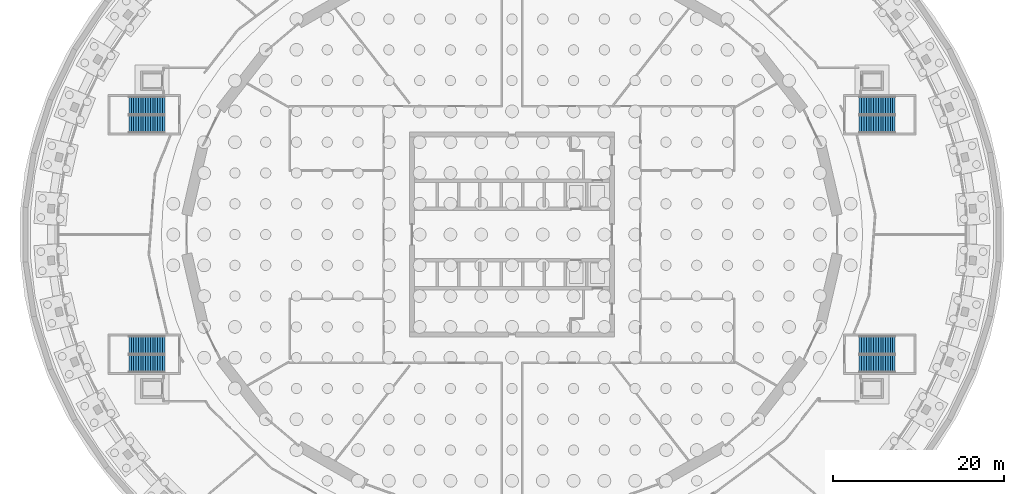
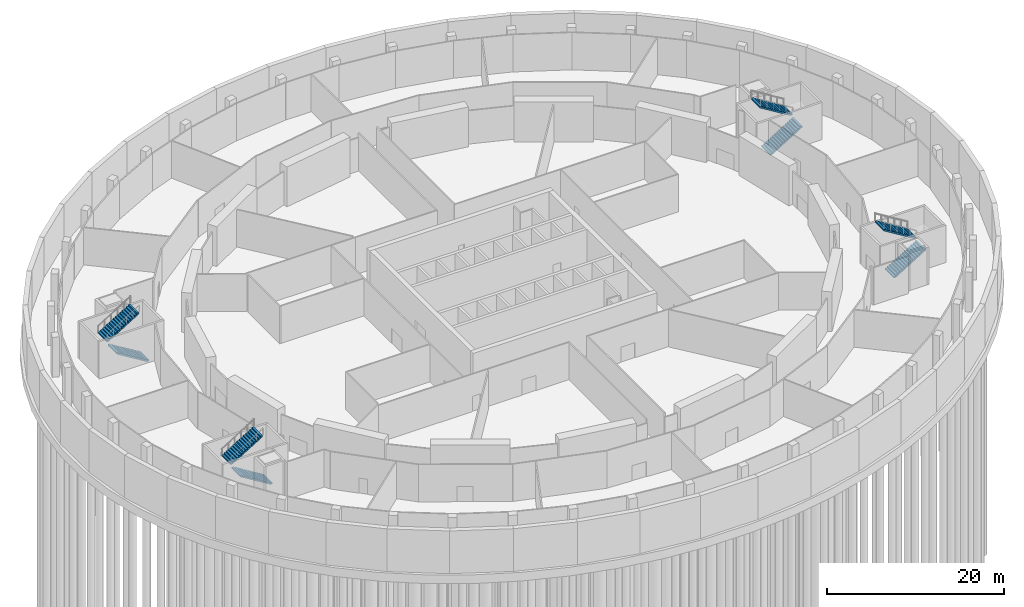
# One storey, part 13 of 15: 8 stair flights, 4 elements without a shape of their own.
"""IFC4 building model written with IfcOpenShell, lengths in metres."""

from ifc_helpers import new_model, si_unit, direction, frame, origin, place, context, subcontext, project, spatial, polyline, outline, extrude, material, type_object, element, aggregate, save


model = new_model("IFC4")

# Units and contexts
model_context = context("Model", 3, precision=1e-05, world=origin(), true_north=direction((0.0, 1.0)))
body_context = subcontext(model_context, "Body", "Model", "MODEL_VIEW")
ifc_project = project(units=[si_unit("LENGTHUNIT", "METRE"), si_unit("AREAUNIT", "SQUARE_METRE"), si_unit("VOLUMEUNIT", "CUBIC_METRE"), si_unit("PLANEANGLEUNIT", "RADIAN"), si_unit("MASSUNIT", "GRAM", prefix="KILO")], contexts=[model_context])

# Site, building, storey
site_placement = place(None, origin())
site = spatial("IfcSite", under=ifc_project, at=site_placement, CompositionType="ELEMENT")
building_placement = place(site_placement, origin())
building = spatial("IfcBuilding", under=site, at=building_placement, Name="Halqa Exchange Tower", CompositionType="ELEMENT")
storey_placement = place(building_placement, frame((0.0, 0.0, -15.0)))
storey = spatial("IfcBuildingStorey", under=building, at=storey_placement, Name="B3", CompositionType="ELEMENT", Elevation=-15.0)

# Stair, stair flights
ifc_material = material(Name="Concrete C30/37", Category="concrete")
stair_type = type_object("IfcStairType", Name="Exit stair 2000 wide", PredefinedType="HALF_TURN_STAIR", material=ifc_material)
stair_1_placement = place(storey_placement, origin())
stair_1 = element("IfcStair", 1, at=stair_1_placement, inside=storey, type_object=stair_type, Name="Exit stair SS1", PredefinedType="HALF_TURN_STAIR")
stair_flight_type = type_object("IfcStairFlightType", Name="Stair flight 2000 wide", PredefinedType="STRAIGHT", material=ifc_material)
stair_flight_1_placement = place(storey_placement, frame((40.60009765625, 12.875, 0.0), z_axis=(0.0, 0.0, 1.0), x_axis=(1.0, 0.0, 0.0)))
stair_flight_1 = element("IfcStairFlight", 2, at=stair_flight_1_placement, type_object=stair_flight_type, Name="SS1 flight 1", NumberOfRisers=16, NumberOfTreads=15, PredefinedType="STRAIGHT", RiserHeight=0.171875, TreadLength=0.28, context=body_context, shape_type="SweptSolid", body=[
    extrude(outline(polyline([(0.0, 0.0), (0.0, 0.171875), (0.280029296875, 0.171875), (0.280029296875, 0.34375), (0.56005859375, 0.34375), (0.56005859375, 0.515625), (0.840087890625, 0.515625), (0.840087890625, 0.6875), (1.1201171875, 0.6875), (1.1201171875, 0.859375), (1.39990234375, 0.859375), (1.39990234375, 1.03125), (1.679931640625, 1.03125), (1.679931640625, 1.203125), (1.9599609375, 1.203125), (1.9599609375, 1.375), (2.239990234375, 1.375), (2.239990234375, 1.546875), (2.52001953125, 1.546875), (2.52001953125, 1.71875), (2.800048828125, 1.71875), (2.800048828125, 1.890625), (3.080078125, 1.890625), (3.080078125, 2.0625), (3.360107421875, 2.0625), (3.360107421875, 2.234375), (3.639892578125, 2.234375), (3.639892578125, 2.40625), (3.919921875, 2.40625), (3.919921875, 2.578125), (4.199951171875, 2.578125), (4.199951171875, 2.75), (4.199951171875, 2.40234375), (0.28662109375, 0.0), (0.0, 0.0)])), frame((0.0, 1.0, 0.0), z_axis=(0.0, -1.0, 0.0), x_axis=(1.0, 0.0, 0.0)), (0.0, 0.0, 1.0), 2.0),
])
stair_flight_2_placement = place(storey_placement, frame((44.800048828125, 15.125, 2.75), z_axis=(0.0, 0.0, 1.0), x_axis=(-1.0, 0.0, 0.0)))
stair_flight_2 = element("IfcStairFlight", 3, at=stair_flight_2_placement, type_object=stair_flight_type, Name="SS1 flight 2", NumberOfRisers=16, NumberOfTreads=15, PredefinedType="STRAIGHT", RiserHeight=0.171875, TreadLength=0.28, context=body_context, shape_type="SweptSolid", body=[
    extrude(outline(polyline([(0.0, 0.0), (0.0, 0.171875), (0.280029296875, 0.171875), (0.280029296875, 0.34375), (0.56005859375, 0.34375), (0.56005859375, 0.515625), (0.840087890625, 0.515625), (0.840087890625, 0.6875), (1.1201171875, 0.6875), (1.1201171875, 0.859375), (1.39990234375, 0.859375), (1.39990234375, 1.03125), (1.679931640625, 1.03125), (1.679931640625, 1.203125), (1.9599609375, 1.203125), (1.9599609375, 1.375), (2.239990234375, 1.375), (2.239990234375, 1.546875), (2.52001953125, 1.546875), (2.52001953125, 1.71875), (2.800048828125, 1.71875), (2.800048828125, 1.890625), (3.080078125, 1.890625), (3.080078125, 2.0625), (3.360107421875, 2.0625), (3.360107421875, 2.234375), (3.639892578125, 2.234375), (3.639892578125, 2.40625), (3.919921875, 2.40625), (3.919921875, 2.578125), (4.199951171875, 2.578125), (4.199951171875, 2.75), (4.199951171875, 2.40234375), (0.28662109375, 0.0), (0.0, 0.0)])), frame((0.0, 1.0, 0.0), z_axis=(0.0, -1.0, 0.0), x_axis=(1.0, 0.0, 0.0)), (0.0, 0.0, 1.0), 2.0),
])
aggregate(stair_1, [stair_flight_1, stair_flight_2])

stair_2_placement = place(storey_placement, origin())
stair_2 = element("IfcStair", 4, at=stair_2_placement, inside=storey, type_object=stair_type, Name="Exit stair SS2", PredefinedType="HALF_TURN_STAIR")
stair_flight_3_placement = place(storey_placement, frame((40.60009765625, -15.125, 0.0), z_axis=(0.0, 0.0, 1.0), x_axis=(1.0, 0.0, 0.0)))
stair_flight_3 = element("IfcStairFlight", 5, at=stair_flight_3_placement, type_object=stair_flight_type, Name="SS2 flight 1", NumberOfRisers=16, NumberOfTreads=15, PredefinedType="STRAIGHT", RiserHeight=0.171875, TreadLength=0.28, context=body_context, shape_type="SweptSolid", body=[
    extrude(outline(polyline([(0.0, 0.0), (0.0, 0.171875), (0.280029296875, 0.171875), (0.280029296875, 0.34375), (0.56005859375, 0.34375), (0.56005859375, 0.515625), (0.840087890625, 0.515625), (0.840087890625, 0.6875), (1.1201171875, 0.6875), (1.1201171875, 0.859375), (1.39990234375, 0.859375), (1.39990234375, 1.03125), (1.679931640625, 1.03125), (1.679931640625, 1.203125), (1.9599609375, 1.203125), (1.9599609375, 1.375), (2.239990234375, 1.375), (2.239990234375, 1.546875), (2.52001953125, 1.546875), (2.52001953125, 1.71875), (2.800048828125, 1.71875), (2.800048828125, 1.890625), (3.080078125, 1.890625), (3.080078125, 2.0625), (3.360107421875, 2.0625), (3.360107421875, 2.234375), (3.639892578125, 2.234375), (3.639892578125, 2.40625), (3.919921875, 2.40625), (3.919921875, 2.578125), (4.199951171875, 2.578125), (4.199951171875, 2.75), (4.199951171875, 2.40234375), (0.28662109375, 0.0), (0.0, 0.0)])), frame((0.0, 1.0, 0.0), z_axis=(0.0, -1.0, 0.0), x_axis=(1.0, 0.0, 0.0)), (0.0, 0.0, 1.0), 2.0),
])
stair_flight_4_placement = place(storey_placement, frame((44.800048828125, -12.875, 2.75), z_axis=(0.0, 0.0, 1.0), x_axis=(-1.0, 0.0, 0.0)))
stair_flight_4 = element("IfcStairFlight", 6, at=stair_flight_4_placement, type_object=stair_flight_type, Name="SS2 flight 2", NumberOfRisers=16, NumberOfTreads=15, PredefinedType="STRAIGHT", RiserHeight=0.171875, TreadLength=0.28, context=body_context, shape_type="SweptSolid", body=[
    extrude(outline(polyline([(0.0, 0.0), (0.0, 0.171875), (0.280029296875, 0.171875), (0.280029296875, 0.34375), (0.56005859375, 0.34375), (0.56005859375, 0.515625), (0.840087890625, 0.515625), (0.840087890625, 0.6875), (1.1201171875, 0.6875), (1.1201171875, 0.859375), (1.39990234375, 0.859375), (1.39990234375, 1.03125), (1.679931640625, 1.03125), (1.679931640625, 1.203125), (1.9599609375, 1.203125), (1.9599609375, 1.375), (2.239990234375, 1.375), (2.239990234375, 1.546875), (2.52001953125, 1.546875), (2.52001953125, 1.71875), (2.800048828125, 1.71875), (2.800048828125, 1.890625), (3.080078125, 1.890625), (3.080078125, 2.0625), (3.360107421875, 2.0625), (3.360107421875, 2.234375), (3.639892578125, 2.234375), (3.639892578125, 2.40625), (3.919921875, 2.40625), (3.919921875, 2.578125), (4.199951171875, 2.578125), (4.199951171875, 2.75), (4.199951171875, 2.40234375), (0.28662109375, 0.0), (0.0, 0.0)])), frame((0.0, 1.0, 0.0), z_axis=(0.0, -1.0, 0.0), x_axis=(1.0, 0.0, 0.0)), (0.0, 0.0, 1.0), 2.0),
])
aggregate(stair_2, [stair_flight_3, stair_flight_4])

stair_3_placement = place(storey_placement, origin())
stair_3 = element("IfcStair", 7, at=stair_3_placement, inside=storey, type_object=stair_type, Name="Exit stair SS3", PredefinedType="HALF_TURN_STAIR")
stair_flight_5_placement = place(storey_placement, frame((-40.60009765625, 12.875, 0.0), z_axis=(0.0, 0.0, 1.0), x_axis=(-1.0, 0.0, 0.0)))
stair_flight_5 = element("IfcStairFlight", 8, at=stair_flight_5_placement, type_object=stair_flight_type, Name="SS3 flight 1", NumberOfRisers=16, NumberOfTreads=15, PredefinedType="STRAIGHT", RiserHeight=0.171875, TreadLength=0.28, context=body_context, shape_type="SweptSolid", body=[
    extrude(outline(polyline([(0.0, 0.0), (0.0, 0.171875), (0.280029296875, 0.171875), (0.280029296875, 0.34375), (0.56005859375, 0.34375), (0.56005859375, 0.515625), (0.840087890625, 0.515625), (0.840087890625, 0.6875), (1.1201171875, 0.6875), (1.1201171875, 0.859375), (1.39990234375, 0.859375), (1.39990234375, 1.03125), (1.679931640625, 1.03125), (1.679931640625, 1.203125), (1.9599609375, 1.203125), (1.9599609375, 1.375), (2.239990234375, 1.375), (2.239990234375, 1.546875), (2.52001953125, 1.546875), (2.52001953125, 1.71875), (2.800048828125, 1.71875), (2.800048828125, 1.890625), (3.080078125, 1.890625), (3.080078125, 2.0625), (3.360107421875, 2.0625), (3.360107421875, 2.234375), (3.639892578125, 2.234375), (3.639892578125, 2.40625), (3.919921875, 2.40625), (3.919921875, 2.578125), (4.199951171875, 2.578125), (4.199951171875, 2.75), (4.199951171875, 2.40234375), (0.28662109375, 0.0), (0.0, 0.0)])), frame((0.0, 1.0, 0.0), z_axis=(0.0, -1.0, 0.0), x_axis=(1.0, 0.0, 0.0)), (0.0, 0.0, 1.0), 2.0),
])
stair_flight_6_placement = place(storey_placement, frame((-44.800048828125, 15.125, 2.75), z_axis=(0.0, 0.0, 1.0), x_axis=(1.0, 0.0, 0.0)))
stair_flight_6 = element("IfcStairFlight", 9, at=stair_flight_6_placement, type_object=stair_flight_type, Name="SS3 flight 2", NumberOfRisers=16, NumberOfTreads=15, PredefinedType="STRAIGHT", RiserHeight=0.171875, TreadLength=0.28, context=body_context, shape_type="SweptSolid", body=[
    extrude(outline(polyline([(0.0, 0.0), (0.0, 0.171875), (0.280029296875, 0.171875), (0.280029296875, 0.34375), (0.56005859375, 0.34375), (0.56005859375, 0.515625), (0.840087890625, 0.515625), (0.840087890625, 0.6875), (1.1201171875, 0.6875), (1.1201171875, 0.859375), (1.39990234375, 0.859375), (1.39990234375, 1.03125), (1.679931640625, 1.03125), (1.679931640625, 1.203125), (1.9599609375, 1.203125), (1.9599609375, 1.375), (2.239990234375, 1.375), (2.239990234375, 1.546875), (2.52001953125, 1.546875), (2.52001953125, 1.71875), (2.800048828125, 1.71875), (2.800048828125, 1.890625), (3.080078125, 1.890625), (3.080078125, 2.0625), (3.360107421875, 2.0625), (3.360107421875, 2.234375), (3.639892578125, 2.234375), (3.639892578125, 2.40625), (3.919921875, 2.40625), (3.919921875, 2.578125), (4.199951171875, 2.578125), (4.199951171875, 2.75), (4.199951171875, 2.40234375), (0.28662109375, 0.0), (0.0, 0.0)])), frame((0.0, 1.0, 0.0), z_axis=(0.0, -1.0, 0.0), x_axis=(1.0, 0.0, 0.0)), (0.0, 0.0, 1.0), 2.0),
])
aggregate(stair_3, [stair_flight_5, stair_flight_6])

stair_4_placement = place(storey_placement, origin())
stair_4 = element("IfcStair", 10, at=stair_4_placement, inside=storey, type_object=stair_type, Name="Exit stair SS4", PredefinedType="HALF_TURN_STAIR")
stair_flight_7_placement = place(storey_placement, frame((-40.60009765625, -15.125, 0.0), z_axis=(0.0, 0.0, 1.0), x_axis=(-1.0, 0.0, 0.0)))
stair_flight_7 = element("IfcStairFlight", 11, at=stair_flight_7_placement, type_object=stair_flight_type, Name="SS4 flight 1", NumberOfRisers=16, NumberOfTreads=15, PredefinedType="STRAIGHT", RiserHeight=0.171875, TreadLength=0.28, context=body_context, shape_type="SweptSolid", body=[
    extrude(outline(polyline([(0.0, 0.0), (0.0, 0.171875), (0.280029296875, 0.171875), (0.280029296875, 0.34375), (0.56005859375, 0.34375), (0.56005859375, 0.515625), (0.840087890625, 0.515625), (0.840087890625, 0.6875), (1.1201171875, 0.6875), (1.1201171875, 0.859375), (1.39990234375, 0.859375), (1.39990234375, 1.03125), (1.679931640625, 1.03125), (1.679931640625, 1.203125), (1.9599609375, 1.203125), (1.9599609375, 1.375), (2.239990234375, 1.375), (2.239990234375, 1.546875), (2.52001953125, 1.546875), (2.52001953125, 1.71875), (2.800048828125, 1.71875), (2.800048828125, 1.890625), (3.080078125, 1.890625), (3.080078125, 2.0625), (3.360107421875, 2.0625), (3.360107421875, 2.234375), (3.639892578125, 2.234375), (3.639892578125, 2.40625), (3.919921875, 2.40625), (3.919921875, 2.578125), (4.199951171875, 2.578125), (4.199951171875, 2.75), (4.199951171875, 2.40234375), (0.28662109375, 0.0), (0.0, 0.0)])), frame((0.0, 1.0, 0.0), z_axis=(0.0, -1.0, 0.0), x_axis=(1.0, 0.0, 0.0)), (0.0, 0.0, 1.0), 2.0),
])
stair_flight_8_placement = place(storey_placement, frame((-44.800048828125, -12.875, 2.75), z_axis=(0.0, 0.0, 1.0), x_axis=(1.0, 0.0, 0.0)))
stair_flight_8 = element("IfcStairFlight", 12, at=stair_flight_8_placement, type_object=stair_flight_type, Name="SS4 flight 2", NumberOfRisers=16, NumberOfTreads=15, PredefinedType="STRAIGHT", RiserHeight=0.171875, TreadLength=0.28, context=body_context, shape_type="SweptSolid", body=[
    extrude(outline(polyline([(0.0, 0.0), (0.0, 0.171875), (0.280029296875, 0.171875), (0.280029296875, 0.34375), (0.56005859375, 0.34375), (0.56005859375, 0.515625), (0.840087890625, 0.515625), (0.840087890625, 0.6875), (1.1201171875, 0.6875), (1.1201171875, 0.859375), (1.39990234375, 0.859375), (1.39990234375, 1.03125), (1.679931640625, 1.03125), (1.679931640625, 1.203125), (1.9599609375, 1.203125), (1.9599609375, 1.375), (2.239990234375, 1.375), (2.239990234375, 1.546875), (2.52001953125, 1.546875), (2.52001953125, 1.71875), (2.800048828125, 1.71875), (2.800048828125, 1.890625), (3.080078125, 1.890625), (3.080078125, 2.0625), (3.360107421875, 2.0625), (3.360107421875, 2.234375), (3.639892578125, 2.234375), (3.639892578125, 2.40625), (3.919921875, 2.40625), (3.919921875, 2.578125), (4.199951171875, 2.578125), (4.199951171875, 2.75), (4.199951171875, 2.40234375), (0.28662109375, 0.0), (0.0, 0.0)])), frame((0.0, 1.0, 0.0), z_axis=(0.0, -1.0, 0.0), x_axis=(1.0, 0.0, 0.0)), (0.0, 0.0, 1.0), 2.0),
])
aggregate(stair_4, [stair_flight_7, stair_flight_8])

save(model, "model.ifc")
